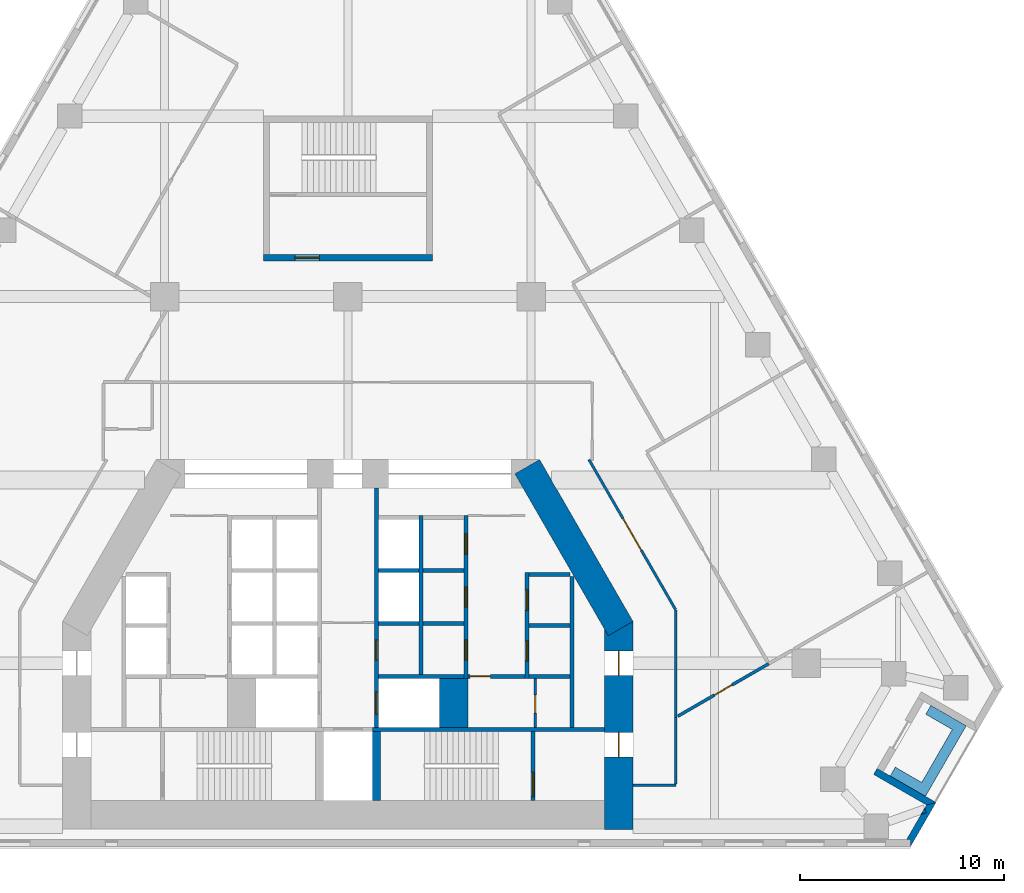
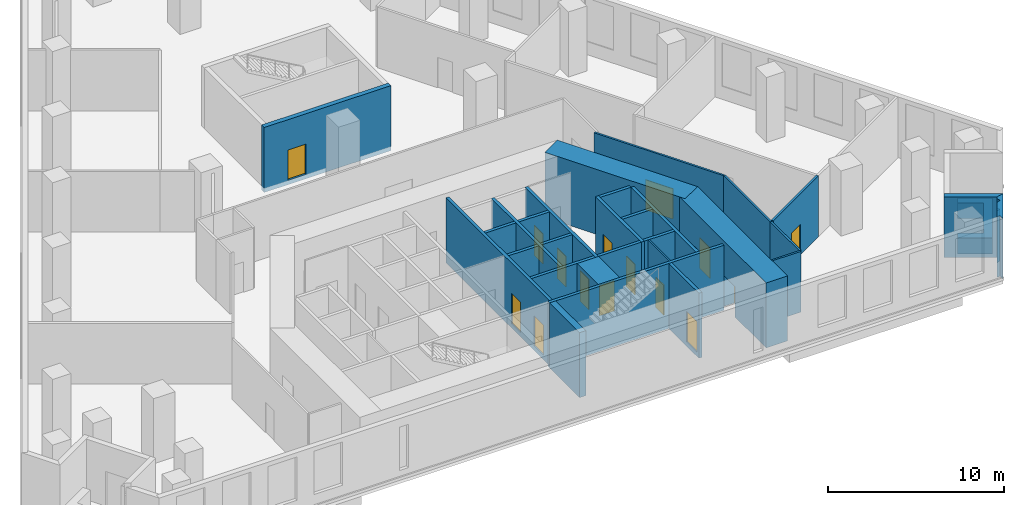
# One storey, part 6 of 10: 31 walls, 15 doors, 15 openings.
"""IFC4 building model written with IfcOpenShell, lengths in metres."""

from ifc_helpers import new_model, si_unit, direction, frame, frame_2d, origin, place, context, subcontext, project, spatial, polyline, rectangle, outline, extrude, material, layer, layer_set, type_object, element, fill, save


model = new_model("IFC4")

# Units and contexts
model_context = context("Model", 3, precision=1e-05, world=origin(), true_north=direction((0.0, 1.0)))
body_context = subcontext(model_context, "Body", "Model", "MODEL_VIEW")
ifc_project = project(units=[si_unit("LENGTHUNIT", "METRE"), si_unit("AREAUNIT", "SQUARE_METRE"), si_unit("VOLUMEUNIT", "CUBIC_METRE"), si_unit("PLANEANGLEUNIT", "RADIAN"), si_unit("MASSUNIT", "GRAM", prefix="KILO")], contexts=[model_context])

# Site, building, storey
site_placement = place(None, origin())
site = spatial("IfcSite", under=ifc_project, at=site_placement, CompositionType="ELEMENT")
building_placement = place(site_placement, origin())
building = spatial("IfcBuilding", under=site, at=building_placement, Name="Fogline Exchange Tower", CompositionType="ELEMENT")
storey_placement = place(building_placement, frame((0.0, 0.0, 38.5)))
storey = spatial("IfcBuildingStorey", under=building, at=storey_placement, Name="L07", CompositionType="ELEMENT", Elevation=38.5)

# Wall, opening, door
ifc_material_1 = material(Name="Blockwork partition", Category="masonry")
ifc_layer_1 = layer(ifc_material_1, 0.10009765625)
ifc_layer_set_1 = layer_set([ifc_layer_1], Name="CW10")
wall_type_1 = type_object("IfcWallType", Name="CW10", PredefinedType="PARTITIONING", material=ifc_layer_set_1)
wall_1_placement = place(storey_placement, frame((9.199951171875, 5.85009765625, 0.0), z_axis=(0.0, 0.0, 1.0), x_axis=(0.0, 1.0, 0.0)))
wall_1 = element("IfcWall", 1, at=wall_1_placement, inside=storey, type_object=wall_type_1, Name="WC partition", PredefinedType="PARTITIONING", context=body_context, shape_type="SweptSolid", body=[
    extrude(rectangle(XDim=2.39990234375, YDim=0.10009765625, at=frame_2d((1.199951171875, 0.0))), origin(), (0.0, 0.0, 1.0), 4.199951171875),
])
opening_1_placement = place(wall_1_placement, frame((0.699951171875, 0.0, 0.0)))
opening_1 = element("IfcOpeningElement", 2, at=opening_1_placement, cuts=wall_1, Name="Opening T02-C015", PredefinedType="OPENING", context=body_context, shape_type="SweptSolid", body=[
    extrude(rectangle(XDim=0.89990234375, YDim=2.10009765625, at=frame_2d((0.449951171875, 1.050048828125))), frame((0.0, 0.06005859375, 0.0), z_axis=(0.0, -1.0, 0.0), x_axis=(1.0, 0.0, 0.0)), (0.0, 0.0, 1.0), 0.1201171875),
])
ifc_material_2 = material(Name="Steel and timber fire door", Category="steel")
door_type_1 = type_object("IfcDoorType", Name="D-CS1", OperationType="SINGLE_SWING_RIGHT", PredefinedType="DOOR", material=ifc_material_2)
door_1_placement = place(opening_1_placement, frame((0.89990234375, 0.0, 0.0), z_axis=(0.0, 0.0, 1.0), x_axis=(-1.0, 0.0, 0.0)))
door_1 = element("IfcDoor", 3, at=door_1_placement, inside=storey, type_object=door_type_1, Name="Door to Cleaner's Store", OperationType="SINGLE_SWING_RIGHT", OverallHeight=2.10009765625, OverallWidth=0.89990234375, PredefinedType="DOOR", context=body_context, shape_type="SweptSolid", body=[
    extrude(rectangle(XDim=0.89990234375, YDim=2.10009765625, at=frame_2d((0.449951171875, 1.050048828125))), frame((0.0, 0.02490234375, 0.0), z_axis=(0.0, -1.0, 0.0), x_axis=(1.0, 0.0, 0.0)), (0.0, 0.0, 1.0), 0.050048828125),
])
fill(opening_1, door_1)

# Walls
ifc_material_3 = material(Name="Concrete C60", Category="concrete")
ifc_layer_2 = layer(ifc_material_3, 1.39990234375)
ifc_layer_set_2 = layer_set([ifc_layer_2], Name="CW140")
wall_type_2 = type_object("IfcWallType", Name="CW140", PredefinedType="SOLIDWALL", material=ifc_layer_set_2)
wall_2_placement = place(storey_placement, frame((5.199951171875, 5.85009765625, -0.300048828125), z_axis=(0.0, 0.0, 1.0), x_axis=(0.0, 1.0, 0.0)))
element("IfcWall", 4, at=wall_2_placement, inside=storey, type_object=wall_type_2, Name="Lift shaft block wall", PredefinedType="SOLIDWALL", context=body_context, shape_type="SweptSolid", body=[
    extrude(rectangle(XDim=2.39990234375, YDim=1.39990234375, at=frame_2d((1.199951171875, 0.0))), origin(), (0.0, 0.0, 1.0), 4.5),
])
ifc_material_4 = material(Name="Concrete C40", Category="concrete")
ifc_layer_3 = layer(ifc_material_4, 0.199951171875)
ifc_layer_set_3 = layer_set([ifc_layer_3], Name="CW20")
wall_type_3 = type_object("IfcWallType", Name="CW20", PredefinedType="SOLIDWALL", material=ifc_layer_set_3)
wall_3_placement = place(storey_placement, frame((11.0, 5.85009765625, 0.0), z_axis=(0.0, 0.0, 1.0), x_axis=(0.0, 1.0, 0.0)))
element("IfcWall", 5, at=wall_3_placement, inside=storey, type_object=wall_type_3, Name="Service room wall", PredefinedType="SOLIDWALL", context=body_context, shape_type="SweptSolid", body=[
    extrude(rectangle(XDim=7.39990234375, YDim=0.199951171875, at=frame_2d((3.699951171875, 0.0))), origin(), (0.0, 0.0, 1.0), 4.199951171875),
])

# Wall, opening, door
wall_4_placement = place(storey_placement, frame((5.89990234375, 8.35009765625, 0.0), z_axis=(0.0, 0.0, 1.0), x_axis=(1.0, 0.0, 0.0)))
wall_4 = element("IfcWall", 6, at=wall_4_placement, inside=storey, type_object=wall_type_3, Name="WC wall", PredefinedType="SOLIDWALL", context=body_context, shape_type="SweptSolid", body=[
    extrude(rectangle(XDim=2.800048828125, YDim=0.199951171875, at=frame_2d((1.39990234375, 0.0))), origin(), (0.0, 0.0, 1.0), 4.199951171875),
])
opening_2_placement = place(wall_4_placement, frame((0.10009765625, 0.0, 0.0)))
opening_2 = element("IfcOpeningElement", 7, at=opening_2_placement, cuts=wall_4, Name="Opening T02-C014", PredefinedType="OPENING", context=body_context, shape_type="SweptSolid", body=[
    extrude(rectangle(XDim=1.0, YDim=2.10009765625, at=frame_2d((0.5, 1.050048828125))), frame((0.0, 0.10986328125, 0.0), z_axis=(0.0, -1.0, 0.0), x_axis=(1.0, 0.0, 0.0)), (0.0, 0.0, 1.0), 0.219970703125),
])
door_type_2 = type_object("IfcDoorType", Name="D-WC1", OperationType="SINGLE_SWING_LEFT", PredefinedType="DOOR", material=ifc_material_2)
door_2_placement = place(opening_2_placement, frame((1.0, 0.0, 0.0), z_axis=(0.0, 0.0, 1.0), x_axis=(-1.0, 0.0, 0.0)))
door_2 = element("IfcDoor", 8, at=door_2_placement, inside=storey, type_object=door_type_2, Name="Door to Women's WC", OperationType="SINGLE_SWING_RIGHT", OverallHeight=2.10009765625, OverallWidth=1.0, PredefinedType="DOOR", context=body_context, shape_type="SweptSolid", body=[
    extrude(rectangle(XDim=1.0, YDim=2.10009765625, at=frame_2d((0.5, 1.050048828125))), frame((0.0, 0.02490234375, 0.0), z_axis=(0.0, -1.0, 0.0), x_axis=(1.0, 0.0, 0.0)), (0.0, 0.0, 1.0), 0.050048828125),
])
fill(opening_2, door_2)

# Wall
ifc_layer_4 = layer(ifc_material_4, 0.199951171875)
ifc_layer_set_4 = layer_set([ifc_layer_4], Name="CW20R")
wall_type_4 = type_object("IfcWallType", Name="CW20R", PredefinedType="SOLIDWALL", material=ifc_layer_set_4)
wall_5_placement = place(storey_placement, frame((1.199951171875, 5.75, -0.300048828125), z_axis=(0.0, 0.0, 1.0), x_axis=(1.0, 0.0, 0.0)))
element("IfcWall", 9, at=wall_5_placement, inside=storey, type_object=wall_type_4, Name="Stair enclosure wall", PredefinedType="SOLIDWALL", context=body_context, shape_type="SweptSolid", body=[
    extrude(rectangle(XDim=11.400146484375, YDim=0.199951171875, at=frame_2d((5.7001953125, 0.0))), origin(), (0.0, 0.0, 1.0), 4.5),
])

# Wall, opening, door
wall_6_placement = place(storey_placement, frame((9.10009765625, 2.25, -0.300048828125), z_axis=(0.0, 0.0, 1.0), x_axis=(0.0, 1.0, 0.0)))
wall_6 = element("IfcWall", 10, at=wall_6_placement, inside=storey, type_object=wall_type_4, Name="Stair enclosure wall", PredefinedType="SOLIDWALL", context=body_context, shape_type="SweptSolid", body=[
    extrude(rectangle(XDim=3.39990234375, YDim=0.199951171875, at=frame_2d((1.699951171875, 0.0))), origin(), (0.0, 0.0, 1.0), 4.5),
])
opening_3_placement = place(wall_6_placement, frame((0.199951171875, 0.0, 0.300048828125)))
opening_3 = element("IfcOpeningElement", 11, at=opening_3_placement, cuts=wall_6, Name="Opening T02-C017", PredefinedType="OPENING", context=body_context, shape_type="SweptSolid", body=[
    extrude(rectangle(XDim=1.199951171875, YDim=2.10009765625, at=frame_2d((0.60009765625, 1.050048828125))), frame((0.0, 0.10986328125, 0.0), z_axis=(0.0, -1.0, 0.0), x_axis=(1.0, 0.0, 0.0)), (0.0, 0.0, 1.0), 0.219970703125),
])
door_type_3 = type_object("IfcDoorType", Name="D-ST1", OperationType="SINGLE_SWING_LEFT", PredefinedType="DOOR", material=ifc_material_2)
door_3_placement = place(opening_3_placement, origin())
door_3 = element("IfcDoor", 12, at=door_3_placement, inside=storey, type_object=door_type_3, Name="Stair door ST2", OperationType="SINGLE_SWING_LEFT", OverallHeight=2.10009765625, OverallWidth=1.199951171875, PredefinedType="DOOR", context=body_context, shape_type="SweptSolid", body=[
    extrude(rectangle(XDim=1.199951171875, YDim=2.10009765625, at=frame_2d((0.60009765625, 1.050048828125))), frame((0.0, 0.02490234375, 0.0), z_axis=(0.0, -1.0, 0.0), x_axis=(1.0, 0.0, 0.0)), (0.0, 0.0, 1.0), 0.050048828125),
])
fill(opening_3, door_3)

# Wall, openings, doors
ifc_layer_5 = layer(ifc_material_4, 0.199951171875)
ifc_layer_set_5 = layer_set([ifc_layer_5], Name="CW20S")
wall_type_5 = type_object("IfcWallType", Name="CW20S", PredefinedType="SOLIDWALL", material=ifc_layer_set_5)
wall_7_placement = place(storey_placement, frame((8.800048828125, 8.25, -0.300048828125), z_axis=(0.0, 0.0, 1.0), x_axis=(0.0, 1.0, 0.0)))
wall_7 = element("IfcWall", 13, at=wall_7_placement, inside=storey, type_object=wall_type_5, Name="Lift shaft wall", PredefinedType="SOLIDWALL", context=body_context, shape_type="SweptSolid", body=[
    extrude(rectangle(XDim=5.199951171875, YDim=0.199951171875, at=frame_2d((2.60009765625, 0.0))), origin(), (0.0, 0.0, 1.0), 4.5),
])
opening_4_placement = place(wall_7_placement, frame((0.85009765625, 0.0, 0.300048828125)))
opening_4 = element("IfcOpeningElement", 14, at=opening_4_placement, cuts=wall_7, Name="Opening T02-C001", PredefinedType="OPENING", context=body_context, shape_type="SweptSolid", body=[
    extrude(rectangle(XDim=1.0, YDim=2.10009765625, at=frame_2d((0.5, 1.050048828125))), frame((0.0, 0.10986328125, 0.0), z_axis=(0.0, -1.0, 0.0), x_axis=(1.0, 0.0, 0.0)), (0.0, 0.0, 1.0), 0.219970703125),
])
opening_5_placement = place(wall_7_placement, frame((3.35009765625, 0.0, 0.300048828125)))
opening_5 = element("IfcOpeningElement", 15, at=opening_5_placement, cuts=wall_7, Name="Opening T02-C002", PredefinedType="OPENING", context=body_context, shape_type="SweptSolid", body=[
    extrude(rectangle(XDim=1.0, YDim=2.10009765625, at=frame_2d((0.5, 1.050048828125))), frame((0.0, 0.10986328125, 0.0), z_axis=(0.0, -1.0, 0.0), x_axis=(1.0, 0.0, 0.0)), (0.0, 0.0, 1.0), 0.219970703125),
])
door_type_4 = type_object("IfcDoorType", Name="D-RM1", OperationType="SINGLE_SWING_LEFT", PredefinedType="DOOR", material=ifc_material_2)
door_4_placement = place(opening_4_placement, frame((1.0, 0.0, 0.0), z_axis=(0.0, 0.0, 1.0), x_axis=(-1.0, 0.0, 0.0)))
door_4 = element("IfcDoor", 16, at=door_4_placement, inside=storey, type_object=door_type_4, Name="Door to Server Room", OperationType="SINGLE_SWING_LEFT", OverallHeight=2.10009765625, OverallWidth=1.0, PredefinedType="DOOR", context=body_context, shape_type="SweptSolid", body=[
    extrude(rectangle(XDim=1.0, YDim=2.10009765625, at=frame_2d((0.5, 1.050048828125))), frame((0.0, 0.02490234375, 0.0), z_axis=(0.0, -1.0, 0.0), x_axis=(1.0, 0.0, 0.0)), (0.0, 0.0, 1.0), 0.050048828125),
])
fill(opening_4, door_4)
door_5_placement = place(opening_5_placement, frame((1.0, 0.0, 0.0), z_axis=(0.0, 0.0, 1.0), x_axis=(-1.0, 0.0, 0.0)))
door_5 = element("IfcDoor", 17, at=door_5_placement, inside=storey, type_object=door_type_4, Name="Door to Archive Store", OperationType="SINGLE_SWING_LEFT", OverallHeight=2.10009765625, OverallWidth=1.0, PredefinedType="DOOR", context=body_context, shape_type="SweptSolid", body=[
    extrude(rectangle(XDim=1.0, YDim=2.10009765625, at=frame_2d((0.5, 1.050048828125))), frame((0.0, 0.02490234375, 0.0), z_axis=(0.0, -1.0, 0.0), x_axis=(1.0, 0.0, 0.0)), (0.0, 0.0, 1.0), 0.050048828125),
])
fill(opening_5, door_5)

wall_8_placement = place(storey_placement, frame((5.800048828125, 8.25, -0.300048828125), z_axis=(0.0, 0.0, 1.0), x_axis=(0.0, 1.0, 0.0)))
wall_8 = element("IfcWall", 18, at=wall_8_placement, inside=storey, type_object=wall_type_5, Name="Lift shaft wall", PredefinedType="SOLIDWALL", context=body_context, shape_type="SweptSolid", body=[
    extrude(rectangle(XDim=8.0, YDim=0.199951171875, at=frame_2d((4.0, 0.0))), origin(), (0.0, 0.0, 1.0), 4.5),
])
opening_6_placement = place(wall_8_placement, frame((0.89990234375, 0.0, 0.300048828125)))
opening_6 = element("IfcOpeningElement", 19, at=opening_6_placement, cuts=wall_8, Name="Opening T02-C003", PredefinedType="OPENING", context=body_context, shape_type="SweptSolid", body=[
    extrude(rectangle(XDim=1.0, YDim=2.10009765625, at=frame_2d((0.5, 1.050048828125))), frame((0.0, 0.10986328125, 0.0), z_axis=(0.0, -1.0, 0.0), x_axis=(1.0, 0.0, 0.0)), (0.0, 0.0, 1.0), 0.219970703125),
])
opening_7_placement = place(wall_8_placement, frame((3.5, 0.0, 0.300048828125)))
opening_7 = element("IfcOpeningElement", 20, at=opening_7_placement, cuts=wall_8, Name="Opening T02-C004", PredefinedType="OPENING", context=body_context, shape_type="SweptSolid", body=[
    extrude(rectangle(XDim=1.0, YDim=2.10009765625, at=frame_2d((0.5, 1.050048828125))), frame((0.0, 0.10986328125, 0.0), z_axis=(0.0, -1.0, 0.0), x_axis=(1.0, 0.0, 0.0)), (0.0, 0.0, 1.0), 0.219970703125),
])
opening_8_placement = place(wall_8_placement, frame((6.10009765625, 0.0, 0.300048828125)))
opening_8 = element("IfcOpeningElement", 21, at=opening_8_placement, cuts=wall_8, Name="Opening T02-C005", PredefinedType="OPENING", context=body_context, shape_type="SweptSolid", body=[
    extrude(rectangle(XDim=1.0, YDim=2.10009765625, at=frame_2d((0.5, 1.050048828125))), frame((0.0, 0.10986328125, 0.0), z_axis=(0.0, -1.0, 0.0), x_axis=(1.0, 0.0, 0.0)), (0.0, 0.0, 1.0), 0.219970703125),
])
door_6_placement = place(opening_6_placement, origin())
door_6 = element("IfcDoor", 22, at=door_6_placement, inside=storey, type_object=door_type_4, Name="Door to Library Store", OperationType="SINGLE_SWING_RIGHT", OverallHeight=2.10009765625, OverallWidth=1.0, PredefinedType="DOOR", context=body_context, shape_type="SweptSolid", body=[
    extrude(rectangle(XDim=1.0, YDim=2.10009765625, at=frame_2d((0.5, 1.050048828125))), frame((0.0, 0.02490234375, 0.0), z_axis=(0.0, -1.0, 0.0), x_axis=(1.0, 0.0, 0.0)), (0.0, 0.0, 1.0), 0.050048828125),
])
fill(opening_6, door_6)
door_7_placement = place(opening_7_placement, origin())
door_7 = element("IfcDoor", 23, at=door_7_placement, inside=storey, type_object=door_type_4, Name="Door to Stationery Store", OperationType="SINGLE_SWING_LEFT", OverallHeight=2.10009765625, OverallWidth=1.0, PredefinedType="DOOR", context=body_context, shape_type="SweptSolid", body=[
    extrude(rectangle(XDim=1.0, YDim=2.10009765625, at=frame_2d((0.5, 1.050048828125))), frame((0.0, 0.02490234375, 0.0), z_axis=(0.0, -1.0, 0.0), x_axis=(1.0, 0.0, 0.0)), (0.0, 0.0, 1.0), 0.050048828125),
])
fill(opening_7, door_7)
door_8_placement = place(opening_8_placement, origin())
door_8 = element("IfcDoor", 24, at=door_8_placement, inside=storey, type_object=door_type_4, Name="Door to Records Store", OperationType="SINGLE_SWING_LEFT", OverallHeight=2.10009765625, OverallWidth=1.0, PredefinedType="DOOR", context=body_context, shape_type="SweptSolid", body=[
    extrude(rectangle(XDim=1.0, YDim=2.10009765625, at=frame_2d((0.5, 1.050048828125))), frame((0.0, 0.02490234375, 0.0), z_axis=(0.0, -1.0, 0.0), x_axis=(1.0, 0.0, 0.0)), (0.0, 0.0, 1.0), 0.050048828125),
])
fill(opening_8, door_8)

# Wall
wall_9_placement = place(storey_placement, frame((3.60009765625, 8.449951171875, -0.300048828125), z_axis=(0.0, 0.0, 1.0), x_axis=(0.0, 1.0, 0.0)))
element("IfcWall", 25, at=wall_9_placement, inside=storey, type_object=wall_type_5, Name="Lift shaft wall", PredefinedType="SOLIDWALL", context=body_context, shape_type="SweptSolid", body=[
    extrude(rectangle(XDim=7.800048828125, YDim=0.199951171875, at=frame_2d((3.89990234375, 0.0))), origin(), (0.0, 0.0, 1.0), 4.5),
])

# Wall, openings, doors
wall_10_placement = place(storey_placement, frame((1.39990234375, 5.85009765625, -0.300048828125), z_axis=(0.0, 0.0, 1.0), x_axis=(0.0, 1.0, 0.0)))
wall_10 = element("IfcWall", 26, at=wall_10_placement, inside=storey, type_object=wall_type_5, Name="Lift lobby wall", PredefinedType="SOLIDWALL", context=body_context, shape_type="SweptSolid", body=[
    extrude(rectangle(XDim=11.75, YDim=0.199951171875, at=frame_2d((5.875, 0.0))), origin(), (0.0, 0.0, 1.0), 4.5),
])
opening_9_placement = place(wall_10_placement, frame((0.64990234375, 0.0, 0.300048828125)))
opening_9 = element("IfcOpeningElement", 27, at=opening_9_placement, cuts=wall_10, Name="Opening T02-LD08", PredefinedType="OPENING", context=body_context, shape_type="SweptSolid", body=[
    extrude(rectangle(XDim=1.10009765625, YDim=2.10009765625, at=frame_2d((0.550048828125, 1.050048828125))), frame((0.0, 0.10986328125, 0.0), z_axis=(0.0, -1.0, 0.0), x_axis=(1.0, 0.0, 0.0)), (0.0, 0.0, 1.0), 0.219970703125),
])
opening_10_placement = place(wall_10_placement, frame((3.300048828125, 0.0, 0.300048828125)))
opening_10 = element("IfcOpeningElement", 28, at=opening_10_placement, cuts=wall_10, Name="Opening T02-C006", PredefinedType="OPENING", context=body_context, shape_type="SweptSolid", body=[
    extrude(rectangle(XDim=1.0, YDim=2.10009765625, at=frame_2d((0.5, 1.050048828125))), frame((0.0, 0.10986328125, 0.0), z_axis=(0.0, -1.0, 0.0), x_axis=(1.0, 0.0, 0.0)), (0.0, 0.0, 1.0), 0.219970703125),
])
door_9_placement = place(opening_10_placement, frame((1.0, 0.0, 0.0), z_axis=(0.0, 0.0, 1.0), x_axis=(-1.0, 0.0, 0.0)))
door_9 = element("IfcDoor", 29, at=door_9_placement, inside=storey, type_object=door_type_4, Name="Door to Riser Room", OperationType="SINGLE_SWING_RIGHT", OverallHeight=2.10009765625, OverallWidth=1.0, PredefinedType="DOOR", context=body_context, shape_type="SweptSolid", body=[
    extrude(rectangle(XDim=1.0, YDim=2.10009765625, at=frame_2d((0.5, 1.050048828125))), frame((0.0, 0.02490234375, 0.0), z_axis=(0.0, -1.0, 0.0), x_axis=(1.0, 0.0, 0.0)), (0.0, 0.0, 1.0), 0.050048828125),
])
fill(opening_10, door_9)
door_type_5 = type_object("IfcDoorType", Name="LD2", OperationType="SLIDING_TO_RIGHT", PredefinedType="DOOR", material=ifc_material_2)
door_10_placement = place(opening_9_placement, origin())
door_10 = element("IfcDoor", 30, at=door_10_placement, inside=storey, type_object=door_type_5, Name="Landing door FF2", OperationType="SLIDING_TO_RIGHT", OverallHeight=2.10009765625, OverallWidth=1.10009765625, PredefinedType="DOOR", context=body_context, shape_type="SweptSolid", body=[
    extrude(rectangle(XDim=1.10009765625, YDim=2.10009765625, at=frame_2d((0.550048828125, 1.050048828125))), frame((0.0, 0.02490234375, 0.0), z_axis=(0.0, -1.0, 0.0), x_axis=(1.0, 0.0, 0.0)), (0.0, 0.0, 1.0), 0.050048828125),
])
fill(opening_9, door_10)

# Walls
wall_11_placement = place(storey_placement, frame((8.89990234375, 8.35009765625, -0.300048828125), z_axis=(0.0, 0.0, 1.0), x_axis=(1.0, 0.0, 0.0)))
element("IfcWall", 31, at=wall_11_placement, inside=storey, type_object=wall_type_5, Name="Lift shaft wall", PredefinedType="SOLIDWALL", context=body_context, shape_type="SweptSolid", body=[
    extrude(rectangle(XDim=2.0, YDim=0.199951171875, at=frame_2d((1.0, 0.0))), origin(), (0.0, 0.0, 1.0), 4.5),
])
wall_12_placement = place(storey_placement, frame((1.5, 8.35009765625, -0.300048828125), z_axis=(0.0, 0.0, 1.0), x_axis=(1.0, 0.0, 0.0)))
element("IfcWall", 32, at=wall_12_placement, inside=storey, type_object=wall_type_5, Name="Lift shaft wall", PredefinedType="SOLIDWALL", context=body_context, shape_type="SweptSolid", body=[
    extrude(rectangle(XDim=4.199951171875, YDim=0.199951171875, at=frame_2d((2.10009765625, 0.0))), origin(), (0.0, 0.0, 1.0), 4.5),
])
for number, where, z_axis, x_axis, name in (
    (33, (8.89990234375, 10.85009765625, -0.300048828125), (0.0, 0.0, 1.0), (1.0, 0.0, 0.0), "Lift shaft wall"),
    (34, (8.89990234375, 13.35009765625, -0.300048828125), (0.0, 0.0, 1.0), (1.0, 0.0, 0.0), "Lift shaft wall"),
    (35, (3.699951171875, 10.949951171875, -0.300048828125), (0.0, 0.0, 1.0), (1.0, 0.0, 0.0), "Lift shaft wall"),
    (36, (3.699951171875, 13.550048828125, -0.300048828125), (0.0, 0.0, 1.0), (1.0, 0.0, 0.0), "Lift shaft wall"),
    (37, (1.5, 10.949951171875, -0.300048828125), (0.0, 0.0, 1.0), (1.0, 0.0, 0.0), "Lift shaft wall"),
    (38, (1.5, 13.550048828125, -0.300048828125), (0.0, 0.0, 1.0), (1.0, 0.0, 0.0), "Lift shaft wall"),
):
    element("IfcWall", number, at=place(storey_placement, frame(where, z_axis=z_axis, x_axis=x_axis)), inside=storey, type_object=wall_type_5, Name=name, PredefinedType="SOLIDWALL", context=body_context, shape_type="SweptSolid", body=[
        extrude(rectangle(XDim=2.0, YDim=0.199951171875, at=frame_2d((1.0, 0.0))), origin(), (0.0, 0.0, 1.0), 4.5),
    ])

# Wall, opening, door
ifc_layer_6 = layer(ifc_material_4, 0.300048828125)
ifc_layer_set_6 = layer_set([ifc_layer_6], Name="CW30")
wall_type_6 = type_object("IfcWallType", Name="CW30", PredefinedType="SOLIDWALL", material=ifc_layer_set_6)
wall_13_placement = place(storey_placement, frame((-4.14990234375, 28.906982421875, -0.300048828125), z_axis=(0.0, 0.0, 1.0), x_axis=(1.0, 0.0, 0.0)))
wall_13 = element("IfcWall", 39, at=wall_13_placement, inside=storey, type_object=wall_type_6, Name="Stair enclosure wall ST3", PredefinedType="SOLIDWALL", context=body_context, shape_type="SweptSolid", body=[
    extrude(rectangle(XDim=8.2998046875, YDim=0.300048828125, at=frame_2d((4.14990234375, 0.0))), origin(), (0.0, 0.0, 1.0), 4.5),
])
opening_11_placement = place(wall_13_placement, frame((1.550048828125, 0.0, 0.300048828125)))
opening_11 = element("IfcOpeningElement", 40, at=opening_11_placement, cuts=wall_13, Name="Opening T02-C023", PredefinedType="OPENING", context=body_context, shape_type="SweptSolid", body=[
    extrude(rectangle(XDim=1.199951171875, YDim=2.10009765625, at=frame_2d((0.60009765625, 1.050048828125))), frame((0.0, 0.16015625, 0.0), z_axis=(0.0, -1.0, 0.0), x_axis=(1.0, 0.0, 0.0)), (0.0, 0.0, 1.0), 0.320068359375),
])
door_type_6 = type_object("IfcDoorType", Name="D-FR1", OperationType="SINGLE_SWING_RIGHT", PredefinedType="DOOR", material=ifc_material_2)
door_11_placement = place(opening_11_placement, origin())
door_11 = element("IfcDoor", 41, at=door_11_placement, inside=storey, type_object=door_type_6, Name="Front room door ST3", OperationType="SINGLE_SWING_LEFT", OverallHeight=2.10009765625, OverallWidth=1.199951171875, PredefinedType="DOOR", context=body_context, shape_type="SweptSolid", body=[
    extrude(rectangle(XDim=1.199951171875, YDim=2.10009765625, at=frame_2d((0.60009765625, 1.050048828125))), frame((0.0, 0.02490234375, 0.0), z_axis=(0.0, -1.0, 0.0), x_axis=(1.0, 0.0, 0.0)), (0.0, 0.0, 1.0), 0.050048828125),
])
fill(opening_11, door_11)

# Walls
ifc_layer_7 = layer(ifc_material_4, 0.39990234375)
ifc_layer_set_7 = layer_set([ifc_layer_7], Name="CW40R")
wall_type_7 = type_object("IfcWallType", Name="CW40R", PredefinedType="SOLIDWALL", material=ifc_layer_set_7)
wall_14_placement = place(storey_placement, frame((1.39990234375, 2.25, -0.300048828125), z_axis=(0.0, 0.0, 1.0), x_axis=(0.0, 1.0, 0.0)))
element("IfcWall", 42, at=wall_14_placement, inside=storey, type_object=wall_type_7, Name="Stair and lift shaft wall", PredefinedType="SOLIDWALL", context=body_context, shape_type="SweptSolid", body=[
    extrude(rectangle(XDim=3.39990234375, YDim=0.39990234375, at=frame_2d((1.699951171875, 0.0))), origin(), (0.0, 0.0, 1.0), 4.5),
])
ifc_material_5 = material(Name="Brick masonry", Category="masonry")
ifc_layer_8 = layer(ifc_material_5, 0.340087890625)
ifc_layer_set_8 = layer_set([ifc_layer_8], Name="FW1")
wall_type_8 = type_object("IfcWallType", Name="FW1", PredefinedType="SOLIDWALL", material=ifc_layer_set_8)
wall_15_placement = place(storey_placement, origin())
element("IfcWall", 43, at=wall_15_placement, inside=storey, type_object=wall_type_8, Name="Brick wall L07 SE-c1", PredefinedType="SOLIDWALL", context=body_context, shape_type="SweptSolid", body=[
    extrude(outline(polyline([(28.3173828125, 1.8759765625), (28.392333984375, 1.666748046875), (28.145751953125, 1.57861328125), (28.3173828125, 1.8759765625)])), origin(), (0.0, 0.0, 1.0), 3.60009765625),
])
wall_16_placement = place(storey_placement, origin())
element("IfcWall", 44, at=wall_16_placement, inside=storey, type_object=wall_type_8, Name="Brick wall L07 SE-c1", PredefinedType="SOLIDWALL", context=body_context, shape_type="SweptSolid", body=[
    extrude(outline(polyline([(27.627685546875, -0.001220703125), (27.626953125, -0.0009765625), (27.626953125, 0.33935546875), (27.43017578125, 0.33935546875), (28.145751953125, 1.57861328125), (28.392333984375, 1.666748046875), (28.3173828125, 1.8759765625), (28.412841796875, 2.041015625), (28.87841796875, 2.166015625), (28.878662109375, 2.165771484375), (27.627685546875, -0.001220703125)])), origin(), (0.0, 0.0, 1.0), 4.199951171875),
])
wall_17_placement = place(storey_placement, origin())
element("IfcWall", 45, at=wall_17_placement, inside=storey, type_object=wall_type_8, Name="Brick wall L07 SE-s1", PredefinedType="SOLIDWALL", context=body_context, shape_type="SweptSolid", body=[
    extrude(outline(polyline([(25.814208984375, 3.540283203125), (25.98486328125, 3.8359375), (26.27978515625, 3.66552734375), (28.87890625, 2.1650390625), (28.878662109375, 2.164794921875), (28.4130859375, 2.0400390625), (25.814208984375, 3.540283203125)])), origin(), (0.0, 0.0, 1.0), 4.199951171875),
])
ifc_material_6 = material(Name="Concrete C30", Category="concrete")
ifc_layer_9 = layer(ifc_material_6, 0.199951171875)
ifc_layer_set_9 = layer_set([ifc_layer_9], Name="PL1")
wall_type_9 = type_object("IfcWallType", Name="PL1", PredefinedType="USERDEFINED", material=ifc_layer_set_9)
wall_18_placement = place(storey_placement, origin())
element("IfcWall", 46, at=wall_18_placement, inside=storey, type_object=wall_type_9, Name="PLANTER balcony L07 SE", ObjectType="PLANTER", PredefinedType="USERDEFINED", context=body_context, shape_type="SweptSolid", body=[
    extrude(outline(polyline([(26.6259765625, 3.465087890625), (27.925048828125, 2.715087890625), (27.925048828125, 2.715087890625), (28.35791015625, 2.465087890625), (30.10791015625, 5.49609375), (30.35791015625, 5.92919921875), (28.6259765625, 6.92919921875), (28.3759765625, 6.49609375), (29.675048828125, 5.74609375), (28.175048828125, 3.148193359375), (26.8759765625, 3.898193359375), (26.6259765625, 3.465087890625)])), origin(), (0.0, 0.0, 1.0), 1.10009765625),
])

# Wall, opening, door
ifc_material_7 = material(Name="Plasterboard corridor partition with mineral wool, 2 layers each side")
ifc_layer_10 = layer(ifc_material_7, 0.125)
ifc_layer_set_10 = layer_set([ifc_layer_10], Name="PW2")
wall_type_10 = type_object("IfcWallType", Name="PW2", PredefinedType="PARTITIONING", material=ifc_layer_set_10)
wall_19_placement = place(storey_placement, frame((11.83642578125, 19.0, 0.0), z_axis=(0.0, 0.0, 1.0), x_axis=(0.499996068715, -0.866027673501, 0.0)))
wall_19 = element("IfcWall", 47, at=wall_19_placement, inside=storey, type_object=wall_type_10, Name="wall-L07-W001", PredefinedType="PARTITIONING", context=body_context, shape_type="SweptSolid", body=[
    extrude(rectangle(XDim=8.49609375, YDim=0.125, at=frame_2d((4.248046875, 0.0))), origin(), (0.0, 0.0, 1.0), 4.199951171875),
])
opening_12_placement = place(wall_19_placement, frame((3.34814453125, 0.0, 0.0)))
opening_12 = element("IfcOpeningElement", 48, at=opening_12_placement, cuts=wall_19, Name="Opening T02-D001", PredefinedType="OPENING", context=body_context, shape_type="SweptSolid", body=[
    extrude(rectangle(XDim=1.800048828125, YDim=2.10009765625, at=frame_2d((0.89990234375, 1.050048828125))), frame((0.0, 0.072509765625, 0.0), z_axis=(0.0, -1.0, 0.0), x_axis=(1.0, 0.0, 0.0)), (0.0, 0.0, 1.0), 0.14501953125),
])
ifc_material_8 = material(Name="Fire-rated timber door leaves with steel frame", Category="steel")
door_type_7 = type_object("IfcDoorType", Name="D4", OperationType="DOUBLE_DOOR_SINGLE_SWING", PredefinedType="DOOR", material=ifc_material_8)
door_12_placement = place(opening_12_placement, frame((1.800048828125, 0.0, 0.0), z_axis=(0.0, 0.0, 1.0), x_axis=(-1.0, 0.0, 0.0)))
door_12 = element("IfcDoor", 49, at=door_12_placement, inside=storey, type_object=door_type_7, Name="door-L07-D001", OperationType="DOUBLE_DOOR_SINGLE_SWING", OverallHeight=2.10009765625, OverallWidth=1.800048828125, PredefinedType="DOOR", context=body_context, shape_type="SweptSolid", body=[
    extrude(rectangle(XDim=1.800048828125, YDim=2.10009765625, at=frame_2d((0.89990234375, 1.050048828125))), frame((0.0, 0.02490234375, 0.0), z_axis=(0.0, -1.0, 0.0), x_axis=(1.0, 0.0, 0.0)), (0.0, 0.0, 1.0), 0.050048828125),
])
fill(opening_12, door_12)

# Walls
wall_20_placement = place(storey_placement, frame((16.10009765625, 11.615234375, 0.0), z_axis=(0.0, 0.0, 1.0), x_axis=(0.0, -1.0, 0.0)))
element("IfcWall", 50, at=wall_20_placement, inside=storey, type_object=wall_type_10, Name="wall-L07-W002", PredefinedType="PARTITIONING", context=body_context, shape_type="SweptSolid", body=[
    extrude(rectangle(XDim=5.27294921875, YDim=0.125, at=frame_2d((2.636474609375, 0.0))), origin(), (0.0, 0.0, 1.0), 4.199951171875),
])
wall_21_placement = place(storey_placement, frame((16.10009765625, 6.34228515625, 0.0), z_axis=(0.0, 0.0, 1.0), x_axis=(0.0, -1.0, 0.0)))
element("IfcWall", 51, at=wall_21_placement, inside=storey, type_object=wall_type_10, Name="wall-L07-W003", PredefinedType="PARTITIONING", context=body_context, shape_type="SweptSolid", body=[
    extrude(rectangle(XDim=3.27978515625, YDim=0.125, at=frame_2d((1.639892578125, 0.0))), origin(), (0.0, 0.0, 1.0), 4.199951171875),
])
wall_22_placement = place(storey_placement, frame((16.10009765625, 3.0, 0.0), z_axis=(0.0, 0.0, 1.0), x_axis=(-1.0, 0.0, 0.0)))
element("IfcWall", 52, at=wall_22_placement, inside=storey, type_object=wall_type_10, Name="wall-L07-W004", PredefinedType="PARTITIONING", context=body_context, shape_type="SweptSolid", body=[
    extrude(rectangle(XDim=2.10009765625, YDim=0.125, at=frame_2d((1.050048828125, 0.0))), origin(), (0.0, 0.0, 1.0), 4.199951171875),
])

# Wall, opening, door
ifc_material_9 = material(Name="Plasterboard demising partition with mineral wool and acoustic board")
ifc_layer_11 = layer(ifc_material_9, 0.14990234375)
ifc_layer_set_11 = layer_set([ifc_layer_11], Name="PW3")
wall_type_11 = type_object("IfcWallType", Name="PW3", PredefinedType="PARTITIONING", material=ifc_layer_set_11)
wall_23_placement = place(storey_placement, frame((20.660888671875, 8.975341796875, 0.0), z_axis=(0.0, 0.0, 1.0), x_axis=(-0.866029291668, -0.499993265928, 0.0)))
wall_23 = element("IfcWall", 53, at=wall_23_placement, inside=storey, type_object=wall_type_11, Name="wall-L07-W036", PredefinedType="PARTITIONING", context=body_context, shape_type="SweptSolid", body=[
    extrude(rectangle(XDim=5.150390625, YDim=0.14990234375, at=frame_2d((2.5751953125, 0.0))), origin(), (0.0, 0.0, 1.0), 4.199951171875),
])
opening_13_placement = place(wall_23_placement, frame((2.0751953125, 0.0, 0.0)))
opening_13 = element("IfcOpeningElement", 54, at=opening_13_placement, cuts=wall_23, Name="Opening T02-D011", PredefinedType="OPENING", context=body_context, shape_type="SweptSolid", body=[
    extrude(rectangle(XDim=1.0, YDim=2.10009765625, at=frame_2d((0.5, 1.050048828125))), frame((0.0, 0.0849609375, 0.0), z_axis=(0.0, -1.0, 0.0), x_axis=(1.0, 0.0, 0.0)), (0.0, 0.0, 1.0), 0.169921875),
])
ifc_material_10 = material(Name="Fire-rated timber door leaf with steel frame", Category="steel")
door_type_8 = type_object("IfcDoorType", Name="D3", OperationType="SINGLE_SWING_LEFT", PredefinedType="DOOR", material=ifc_material_10)
door_13_placement = place(opening_13_placement, origin())
door_13 = element("IfcDoor", 55, at=door_13_placement, inside=storey, type_object=door_type_8, Name="door-L07-D011", OperationType="SINGLE_SWING_LEFT", OverallHeight=2.10009765625, OverallWidth=1.0, PredefinedType="DOOR", context=body_context, shape_type="SweptSolid", body=[
    extrude(rectangle(XDim=1.0, YDim=2.10009765625, at=frame_2d((0.5, 1.050048828125))), frame((0.0, 0.02490234375, 0.0), z_axis=(0.0, -1.0, 0.0), x_axis=(1.0, 0.0, 0.0)), (0.0, 0.0, 1.0), 0.050048828125),
])
fill(opening_13, door_13)

# Wall, openings, doors
ifc_layer_12 = layer(ifc_material_3, 1.39990234375)
ifc_layer_set_12 = layer_set([ifc_layer_12], Name="SW01")
wall_type_12 = type_object("IfcWallType", Name="SW01", PredefinedType="SHEAR", material=ifc_layer_set_12)
wall_24_placement = place(storey_placement, frame((13.300048828125, 0.85009765625, 0.0), z_axis=(0.0, 0.0, 1.0), x_axis=(0.0, 1.0, 0.0)))
wall_24 = element("IfcWall", 56, at=wall_24_placement, inside=storey, type_object=wall_type_12, Name="L07-W902", PredefinedType="SHEAR", context=body_context, shape_type="SweptSolid", body=[
    extrude(rectangle(XDim=10.202392578125, YDim=1.39990234375, at=frame_2d((5.10107421875, 0.0))), origin(), (0.0, 0.0, 1.0), 4.5),
])
opening_14_placement = place(wall_24_placement, frame((3.550048828125, 0.0, 0.0)))
opening_14 = element("IfcOpeningElement", 57, at=opening_14_placement, cuts=wall_24, Name="Opening T02-C016", PredefinedType="OPENING", context=body_context, shape_type="SweptSolid", body=[
    extrude(rectangle(XDim=1.199951171875, YDim=2.10009765625, at=frame_2d((0.60009765625, 1.050048828125))), frame((0.0, 0.7099609375, 0.0), z_axis=(0.0, -1.0, 0.0), x_axis=(1.0, 0.0, 0.0)), (0.0, 0.0, 1.0), 1.419921875),
])
opening_15_placement = place(wall_24_placement, frame((7.550048828125, 0.0, 0.0)))
opening_15 = element("IfcOpeningElement", 58, at=opening_15_placement, cuts=wall_24, Name="Opening T02-C018", PredefinedType="OPENING", context=body_context, shape_type="SweptSolid", body=[
    extrude(rectangle(XDim=1.199951171875, YDim=2.10009765625, at=frame_2d((0.60009765625, 1.050048828125))), frame((0.0, 0.7099609375, 0.0), z_axis=(0.0, -1.0, 0.0), x_axis=(1.0, 0.0, 0.0)), (0.0, 0.0, 1.0), 1.419921875),
])
door_14_placement = place(opening_14_placement, origin())
door_14 = element("IfcDoor", 59, at=door_14_placement, inside=storey, type_object=door_type_6, Name="Front room door ST2", OperationType="SINGLE_SWING_RIGHT", OverallHeight=2.10009765625, OverallWidth=1.199951171875, PredefinedType="DOOR", context=body_context, shape_type="SweptSolid", body=[
    extrude(rectangle(XDim=1.199951171875, YDim=2.10009765625, at=frame_2d((0.60009765625, 1.050048828125))), frame((0.0, 0.02490234375, 0.0), z_axis=(0.0, -1.0, 0.0), x_axis=(1.0, 0.0, 0.0)), (0.0, 0.0, 1.0), 0.050048828125),
])
fill(opening_14, door_14)
door_type_9 = type_object("IfcDoorType", Name="D-SV1", OperationType="SINGLE_SWING_LEFT", PredefinedType="DOOR", material=ifc_material_2)
door_15_placement = place(opening_15_placement, origin())
door_15 = element("IfcDoor", 60, at=door_15_placement, inside=storey, type_object=door_type_9, Name="Service door E", OperationType="SINGLE_SWING_RIGHT", OverallHeight=2.10009765625, OverallWidth=1.199951171875, PredefinedType="DOOR", context=body_context, shape_type="SweptSolid", body=[
    extrude(rectangle(XDim=1.199951171875, YDim=2.10009765625, at=frame_2d((0.60009765625, 1.050048828125))), frame((0.0, 0.02490234375, 0.0), z_axis=(0.0, -1.0, 0.0), x_axis=(1.0, 0.0, 0.0)), (0.0, 0.0, 1.0), 0.050048828125),
])
fill(opening_15, door_15)

# Wall
wall_25_placement = place(storey_placement, frame((13.393798828125, 10.70263671875, 0.0), z_axis=(0.0, 0.0, 1.0), x_axis=(-0.50000187635, 0.866024320471, 0.0)))
element("IfcWall", 61, at=wall_25_placement, inside=storey, type_object=wall_type_12, Name="L07-W903", PredefinedType="SHEAR", context=body_context, shape_type="SweptSolid", body=[
    extrude(rectangle(XDim=9.1767578125, YDim=1.39990234375, at=frame_2d((4.58837890625, 0.0))), origin(), (0.0, 0.0, 1.0), 4.5),
])

save(model, "model.ifc")
